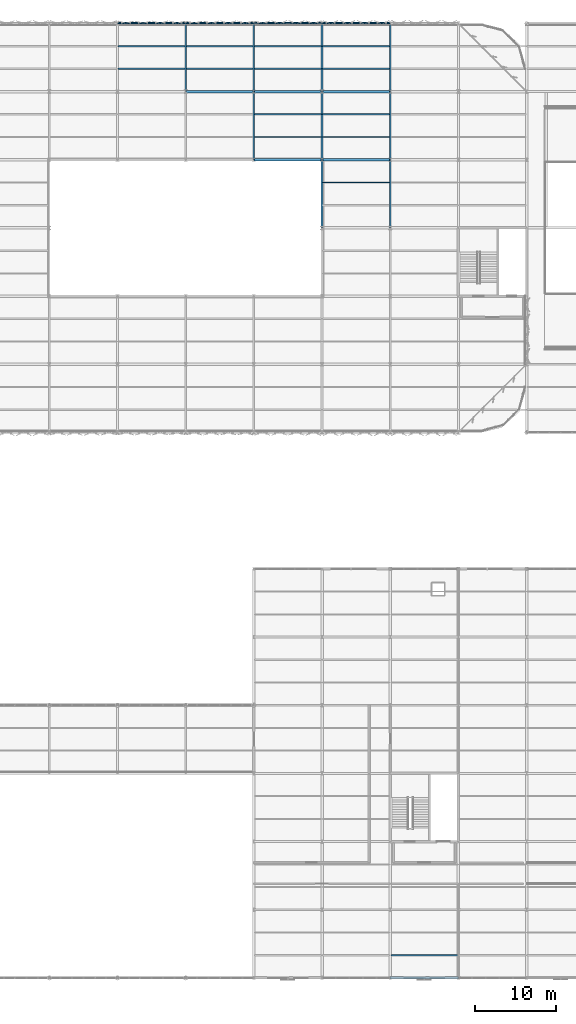
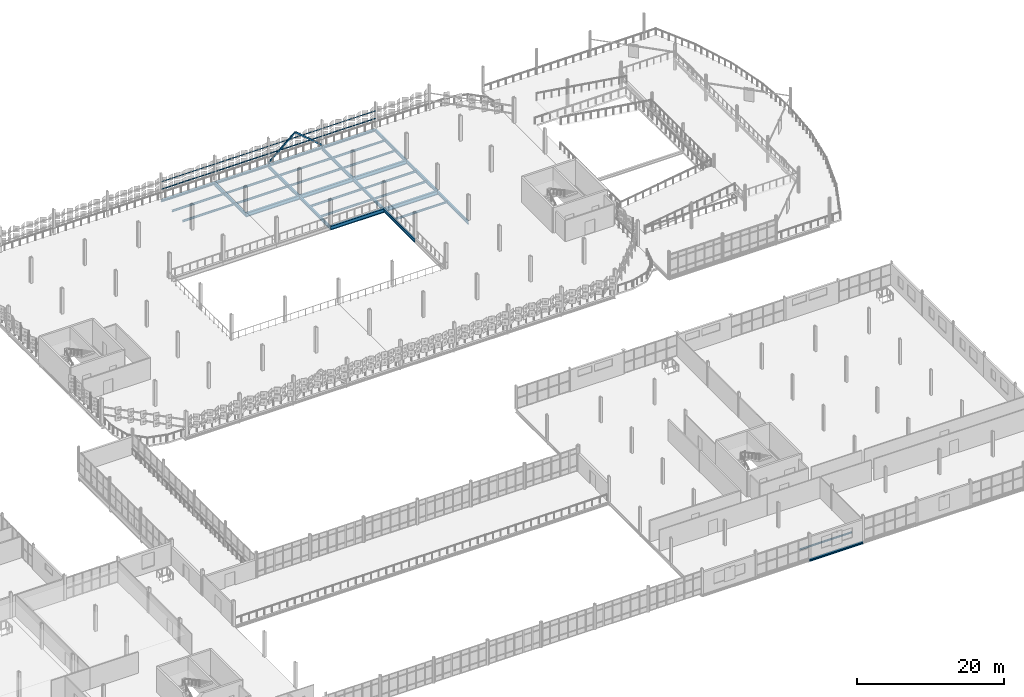
# One storey, part 92 of 163: 41 beams, 2 members.
"""IFC4 building model written with IfcOpenShell, lengths in metres."""

from ifc_helpers import new_model, si_unit, direction, frame, origin, origin_2d, place, context, subcontext, project, spatial, hollow_rectangle, i_section, extrude, material, material_profile, profile_set, type_object, element, save


model = new_model("IFC4")

# Units and contexts
model_context = context("Model", 3, precision=1e-05, world=origin(), true_north=direction((0.0, 1.0)))
body_context = subcontext(model_context, "Body", "Model", "MODEL_VIEW")
ifc_project = project(units=[si_unit("LENGTHUNIT", "METRE"), si_unit("AREAUNIT", "SQUARE_METRE"), si_unit("VOLUMEUNIT", "CUBIC_METRE"), si_unit("PLANEANGLEUNIT", "RADIAN"), si_unit("MASSUNIT", "GRAM", prefix="KILO")], contexts=[model_context])

# Site, building, storey
site_placement = place(None, origin())
site = spatial("IfcSite", under=ifc_project, at=site_placement, CompositionType="ELEMENT")
building_placement = place(site_placement, origin())
building = spatial("IfcBuilding", under=site, at=building_placement, Name="Qalvenar Corner Mobility Hub", CompositionType="ELEMENT")
storey_placement = place(building_placement, frame((0.0, 0.0, 4.800048828125)))
storey = spatial("IfcBuildingStorey", under=building, at=storey_placement, Name="L01", CompositionType="ELEMENT", Elevation=4.800048828125)

# Beams
ifc_material = material(Name="Steel S355", Category="steel")
ifc_material_profile_1 = material_profile(ifc_material, i_section(OverallWidth=0.300048828125, OverallDepth=0.639892578125, WebThickness=0.013427734375, FlangeThickness=0.02587890625, FilletRadius=0.027099609375, at=origin_2d()), Name="HEA650")
ifc_profile_set_1 = profile_set([ifc_material_profile_1], Name="Steel S355")
beam_type_1 = type_object("IfcBeamType", Name="BM-HEA650", PredefinedType="BEAM", material=ifc_profile_set_1)
beam_1_placement = place(storey_placement, frame((109.199951171875, 100.800048828125, -0.56005859375), z_axis=(1.0, 0.0, 0.0), x_axis=(0.0, 1.0, 0.0)))
element("IfcBeam", 1, at=beam_1_placement, inside=storey, type_object=beam_type_1, Name="Primary Steel Girder GX-1296", PredefinedType="BEAM", context=body_context, shape_type="SweptSolid", body=[
    extrude(i_section(OverallWidth=0.300048828125, OverallDepth=0.639892578125, WebThickness=0.013427734375, FlangeThickness=0.02587890625, FilletRadius=0.027099609375, at=origin_2d()), origin(), (0.0, 0.0, 1.0), 8.400146484375),
])
for number, where, z_axis, x_axis, name in (
    (2, (117.60009765625, 100.800048828125, -0.56005859375), (1.0, 0.0, 0.0), (0.0, 1.0, 0.0), "Primary Steel Girder GX-1297"),
    (3, (100.800048828125, 109.199951171875, -0.56005859375), (1.0, 0.0, 0.0), (0.0, 1.0, 0.0), "Primary Steel Girder GX-1305"),
):
    element("IfcBeam", number, at=place(storey_placement, frame(where, z_axis=z_axis, x_axis=x_axis)), inside=storey, type_object=beam_type_1, Name=name, PredefinedType="BEAM", context=body_context, shape_type="SweptSolid", body=[
        extrude(i_section(OverallWidth=0.300048828125, OverallDepth=0.639892578125, WebThickness=0.013427734375, FlangeThickness=0.02587890625, FilletRadius=0.027099609375, at=origin_2d()), origin(), (0.0, 0.0, 1.0), 8.39990234375),
    ])
beam_2_placement = place(storey_placement, frame((109.199951171875, 109.199951171875, -0.56005859375), z_axis=(1.0, 0.0, 0.0), x_axis=(0.0, 1.0, 0.0)))
element("IfcBeam", 4, at=beam_2_placement, inside=storey, type_object=beam_type_1, Name="Primary Steel Girder GX-1306", PredefinedType="BEAM", context=body_context, shape_type="SweptSolid", body=[
    extrude(i_section(OverallWidth=0.300048828125, OverallDepth=0.639892578125, WebThickness=0.013427734375, FlangeThickness=0.02587890625, FilletRadius=0.027099609375, at=origin_2d()), origin(), (0.0, 0.0, 1.0), 8.400146484375),
])
beam_3_placement = place(storey_placement, frame((117.60009765625, 109.199951171875, -0.56005859375), z_axis=(1.0, 0.0, 0.0), x_axis=(0.0, 1.0, 0.0)))
element("IfcBeam", 5, at=beam_3_placement, inside=storey, type_object=beam_type_1, Name="Primary Steel Girder GX-1307", PredefinedType="BEAM", context=body_context, shape_type="SweptSolid", body=[
    extrude(i_section(OverallWidth=0.300048828125, OverallDepth=0.639892578125, WebThickness=0.013427734375, FlangeThickness=0.02587890625, FilletRadius=0.027099609375, at=origin_2d()), origin(), (0.0, 0.0, 1.0), 8.39990234375),
])
ifc_material_profile_2 = material_profile(ifc_material, i_section(OverallWidth=0.2099609375, OverallDepth=0.550048828125, WebThickness=0.010986328125, FlangeThickness=0.01708984375, FilletRadius=0.02392578125, at=origin_2d()), Name="IPE550")
ifc_profile_set_2 = profile_set([ifc_material_profile_2], Name="Steel S355")
beam_type_2 = type_object("IfcBeamType", Name="BM-IPE550", PredefinedType="BEAM", material=ifc_profile_set_2)
beam_4_placement = place(storey_placement, frame((100.800048828125, 109.199951171875, -0.51513671875), z_axis=(0.0, 1.0, 0.0), x_axis=(-1.0, 0.0, 0.0)))
element("IfcBeam", 6, at=beam_4_placement, inside=storey, type_object=beam_type_2, Name="Primary Steel Girder GY-1347", PredefinedType="BEAM", context=body_context, shape_type="SweptSolid", body=[
    extrude(i_section(OverallWidth=0.2099609375, OverallDepth=0.550048828125, WebThickness=0.010986328125, FlangeThickness=0.01708984375, FilletRadius=0.02392578125, at=origin_2d()), origin(), (0.0, 0.0, 1.0), 8.400146484375),
])
beam_5_placement = place(storey_placement, frame((109.199951171875, 100.800048828125, -0.51513671875), z_axis=(0.0, 1.0, 0.0), x_axis=(-1.0, 0.0, 0.0)))
element("IfcBeam", 7, at=beam_5_placement, inside=storey, type_object=beam_type_2, Name="Primary Steel Girder GY-1350", PredefinedType="BEAM", context=body_context, shape_type="SweptSolid", body=[
    extrude(i_section(OverallWidth=0.2099609375, OverallDepth=0.550048828125, WebThickness=0.010986328125, FlangeThickness=0.01708984375, FilletRadius=0.02392578125, at=origin_2d()), origin(), (0.0, 0.0, 1.0), 8.39990234375),
])
for number, where, z_axis, x_axis, name in (
    (8, (109.199951171875, 109.199951171875, -0.51513671875), (0.0, 1.0, 0.0), (-1.0, 0.0, 0.0), "Primary Steel Girder GY-1351"),
    (9, (117.60009765625, 92.39990234375, -0.51513671875), (0.0, 1.0, 0.0), (-1.0, 0.0, 0.0), "Primary Steel Girder GY-1355"),
):
    element("IfcBeam", number, at=place(storey_placement, frame(where, z_axis=z_axis, x_axis=x_axis)), inside=storey, type_object=beam_type_2, Name=name, PredefinedType="BEAM", context=body_context, shape_type="SweptSolid", body=[
        extrude(i_section(OverallWidth=0.2099609375, OverallDepth=0.550048828125, WebThickness=0.010986328125, FlangeThickness=0.01708984375, FilletRadius=0.02392578125, at=origin_2d()), origin(), (0.0, 0.0, 1.0), 8.400146484375),
    ])
beam_6_placement = place(storey_placement, frame((117.60009765625, 100.800048828125, -0.51513671875), z_axis=(0.0, 1.0, 0.0), x_axis=(-1.0, 0.0, 0.0)))
element("IfcBeam", 10, at=beam_6_placement, inside=storey, type_object=beam_type_2, Name="Primary Steel Girder GY-1356", PredefinedType="BEAM", context=body_context, shape_type="SweptSolid", body=[
    extrude(i_section(OverallWidth=0.2099609375, OverallDepth=0.550048828125, WebThickness=0.010986328125, FlangeThickness=0.01708984375, FilletRadius=0.02392578125, at=origin_2d()), origin(), (0.0, 0.0, 1.0), 8.39990234375),
])
for number, where, z_axis, x_axis, name in (
    (11, (117.60009765625, 109.199951171875, -0.51513671875), (0.0, 1.0, 0.0), (-1.0, 0.0, 0.0), "Primary Steel Girder GY-1357"),
    (12, (126.0, 92.39990234375, -0.51513671875), (0.0, 1.0, 0.0), (-1.0, 0.0, 0.0), "Primary Steel Girder GY-1361"),
):
    element("IfcBeam", number, at=place(storey_placement, frame(where, z_axis=z_axis, x_axis=x_axis)), inside=storey, type_object=beam_type_2, Name=name, PredefinedType="BEAM", context=body_context, shape_type="SweptSolid", body=[
        extrude(i_section(OverallWidth=0.2099609375, OverallDepth=0.550048828125, WebThickness=0.010986328125, FlangeThickness=0.01708984375, FilletRadius=0.02392578125, at=origin_2d()), origin(), (0.0, 0.0, 1.0), 8.400146484375),
    ])
beam_7_placement = place(storey_placement, frame((126.0, 100.800048828125, -0.51513671875), z_axis=(0.0, 1.0, 0.0), x_axis=(-1.0, 0.0, 0.0)))
element("IfcBeam", 13, at=beam_7_placement, inside=storey, type_object=beam_type_2, Name="Primary Steel Girder GY-1362", PredefinedType="BEAM", context=body_context, shape_type="SweptSolid", body=[
    extrude(i_section(OverallWidth=0.2099609375, OverallDepth=0.550048828125, WebThickness=0.010986328125, FlangeThickness=0.01708984375, FilletRadius=0.02392578125, at=origin_2d()), origin(), (0.0, 0.0, 1.0), 8.39990234375),
])
beam_8_placement = place(storey_placement, frame((126.0, 109.199951171875, -0.51513671875), z_axis=(0.0, 1.0, 0.0), x_axis=(-1.0, 0.0, 0.0)))
element("IfcBeam", 14, at=beam_8_placement, inside=storey, type_object=beam_type_2, Name="Primary Steel Girder GY-1363", PredefinedType="BEAM", context=body_context, shape_type="SweptSolid", body=[
    extrude(i_section(OverallWidth=0.2099609375, OverallDepth=0.550048828125, WebThickness=0.010986328125, FlangeThickness=0.01708984375, FilletRadius=0.02392578125, at=origin_2d()), origin(), (0.0, 0.0, 1.0), 8.400146484375),
])
ifc_material_profile_3 = material_profile(ifc_material, i_section(OverallWidth=0.135009765625, OverallDepth=0.27001953125, WebThickness=0.006591796875, FlangeThickness=0.01025390625, FilletRadius=0.014892578125, at=origin_2d()), Name="IPE270")
ifc_profile_set_3 = profile_set([ifc_material_profile_3], Name="Steel S355")
beam_type_3 = type_object("IfcBeamType", Name="BM-JST270", PredefinedType="JOIST", material=ifc_profile_set_3)
beam_9_placement = place(storey_placement, frame((126.077880859375, 2.800048828125, -0.31494140625), z_axis=(1.0, 0.0, 0.0), x_axis=(0.0, 1.0, 0.0)))
element("IfcBeam", 15, at=beam_9_placement, inside=storey, type_object=beam_type_3, Name="Composite Floor Joist J-1098", PredefinedType="JOIST", context=body_context, shape_type="SweptSolid", body=[
    extrude(i_section(OverallWidth=0.135009765625, OverallDepth=0.27001953125, WebThickness=0.006591796875, FlangeThickness=0.01025390625, FilletRadius=0.014892578125, at=origin_2d()), origin(), (0.0, 0.0, 1.0), 8.244140625),
])
ifc_material_profile_4 = material_profile(ifc_material, i_section(OverallWidth=0.159912109375, OverallDepth=0.330078125, WebThickness=0.007568359375, FlangeThickness=0.011474609375, FilletRadius=0.01806640625, at=origin_2d()), Name="IPE330")
ifc_profile_set_4 = profile_set([ifc_material_profile_4], Name="Steel S355")
beam_type_4 = type_object("IfcBeamType", Name="BM-JST330", PredefinedType="JOIST", material=ifc_profile_set_4)
for number, where, z_axis, x_axis, name in (
    (16, (92.47802734375, 112.0, -0.405029296875), (1.0, 0.0, 0.0), (0.0, 1.0, 0.0), "Composite Floor Joist J-1418"),
    (17, (92.47802734375, 114.800048828125, -0.405029296875), (1.0, 0.0, 0.0), (0.0, 1.0, 0.0), "Composite Floor Joist J-1419"),
):
    element("IfcBeam", number, at=place(storey_placement, frame(where, z_axis=z_axis, x_axis=x_axis)), inside=storey, type_object=beam_type_4, Name=name, PredefinedType="JOIST", context=body_context, shape_type="SweptSolid", body=[
        extrude(i_section(OverallWidth=0.159912109375, OverallDepth=0.330078125, WebThickness=0.007568359375, FlangeThickness=0.011474609375, FilletRadius=0.01806640625, at=origin_2d()), origin(), (0.0, 0.0, 1.0), 8.243896484375),
    ])
for number, where, z_axis, x_axis, name in (
    (18, (100.8779296875, 112.0, -0.405029296875), (1.0, 0.0, 0.0), (0.0, 1.0, 0.0), "Composite Floor Joist J-1426"),
    (19, (100.8779296875, 114.800048828125, -0.405029296875), (1.0, 0.0, 0.0), (0.0, 1.0, 0.0), "Composite Floor Joist J-1427"),
):
    element("IfcBeam", number, at=place(storey_placement, frame(where, z_axis=z_axis, x_axis=x_axis)), inside=storey, type_object=beam_type_4, Name=name, PredefinedType="JOIST", context=body_context, shape_type="SweptSolid", body=[
        extrude(i_section(OverallWidth=0.159912109375, OverallDepth=0.330078125, WebThickness=0.007568359375, FlangeThickness=0.011474609375, FilletRadius=0.01806640625, at=origin_2d()), origin(), (0.0, 0.0, 1.0), 8.244140625),
    ])
for number, where, z_axis, x_axis, name in (
    (20, (109.278076171875, 103.60009765625, -0.405029296875), (1.0, 0.0, 0.0), (0.0, 1.0, 0.0), "Composite Floor Joist J-1432"),
    (21, (109.278076171875, 106.39990234375, -0.405029296875), (1.0, 0.0, 0.0), (0.0, 1.0, 0.0), "Composite Floor Joist J-1433"),
    (22, (109.278076171875, 112.0, -0.405029296875), (1.0, 0.0, 0.0), (0.0, 1.0, 0.0), "Composite Floor Joist J-1434"),
    (23, (109.278076171875, 114.800048828125, -0.405029296875), (1.0, 0.0, 0.0), (0.0, 1.0, 0.0), "Composite Floor Joist J-1435"),
):
    element("IfcBeam", number, at=place(storey_placement, frame(where, z_axis=z_axis, x_axis=x_axis)), inside=storey, type_object=beam_type_4, Name=name, PredefinedType="JOIST", context=body_context, shape_type="SweptSolid", body=[
        extrude(i_section(OverallWidth=0.159912109375, OverallDepth=0.330078125, WebThickness=0.007568359375, FlangeThickness=0.011474609375, FilletRadius=0.01806640625, at=origin_2d()), origin(), (0.0, 0.0, 1.0), 8.243896484375),
    ])
for number, where, z_axis, x_axis, name in (
    (24, (117.677978515625, 98.0, -0.405029296875), (1.0, 0.0, 0.0), (0.0, 1.0, 0.0), "Composite Floor Joist J-1443"),
    (25, (117.677978515625, 103.60009765625, -0.405029296875), (1.0, 0.0, 0.0), (0.0, 1.0, 0.0), "Composite Floor Joist J-1444"),
    (26, (117.677978515625, 106.39990234375, -0.405029296875), (1.0, 0.0, 0.0), (0.0, 1.0, 0.0), "Composite Floor Joist J-1445"),
    (27, (117.677978515625, 112.0, -0.405029296875), (1.0, 0.0, 0.0), (0.0, 1.0, 0.0), "Composite Floor Joist J-1446"),
    (28, (117.677978515625, 114.800048828125, -0.405029296875), (1.0, 0.0, 0.0), (0.0, 1.0, 0.0), "Composite Floor Joist J-1447"),
):
    element("IfcBeam", number, at=place(storey_placement, frame(where, z_axis=z_axis, x_axis=x_axis)), inside=storey, type_object=beam_type_4, Name=name, PredefinedType="JOIST", context=body_context, shape_type="SweptSolid", body=[
        extrude(i_section(OverallWidth=0.159912109375, OverallDepth=0.330078125, WebThickness=0.007568359375, FlangeThickness=0.011474609375, FilletRadius=0.01806640625, at=origin_2d()), origin(), (0.0, 0.0, 1.0), 8.244140625),
    ])
ifc_material_profile_5 = material_profile(ifc_material, i_section(OverallWidth=0.300048828125, OverallDepth=0.330078125, WebThickness=0.009521484375, FlangeThickness=0.0166015625, FilletRadius=0.027099609375, at=origin_2d()), Name="HEA340")
ifc_profile_set_5 = profile_set([ifc_material_profile_5], Name="Steel S355")
beam_type_5 = type_object("IfcBeamType", Name="BM-SPN340", PredefinedType="SPANDREL", material=ifc_profile_set_5)
beam_10_placement = place(storey_placement, frame((126.0, 0.0, -0.344970703125), z_axis=(1.0, 0.0, 0.0), x_axis=(0.0, 1.0, 0.0)))
element("IfcBeam", 29, at=beam_10_placement, inside=storey, type_object=beam_type_5, Name="Primary Steel Girder GX-0980", PredefinedType="SPANDREL", context=body_context, shape_type="SweptSolid", body=[
    extrude(i_section(OverallWidth=0.300048828125, OverallDepth=0.330078125, WebThickness=0.009521484375, FlangeThickness=0.0166015625, FilletRadius=0.027099609375, at=origin_2d()), origin(), (0.0, 0.0, 1.0), 8.39990234375),
])
beam_11_placement = place(storey_placement, frame((92.39990234375, 117.60009765625, -0.405029296875), z_axis=(1.0, 0.0, 0.0), x_axis=(0.0, 1.0, 0.0)))
element("IfcBeam", 30, at=beam_11_placement, inside=storey, type_object=beam_type_5, Name="Primary Steel Girder GX-1313", PredefinedType="SPANDREL", context=body_context, shape_type="SweptSolid", body=[
    extrude(i_section(OverallWidth=0.300048828125, OverallDepth=0.330078125, WebThickness=0.009521484375, FlangeThickness=0.0166015625, FilletRadius=0.027099609375, at=origin_2d()), origin(), (0.0, 0.0, 1.0), 8.400146484375),
])
beam_12_placement = place(storey_placement, frame((100.800048828125, 117.60009765625, -0.405029296875), z_axis=(1.0, 0.0, 0.0), x_axis=(0.0, 1.0, 0.0)))
element("IfcBeam", 31, at=beam_12_placement, inside=storey, type_object=beam_type_5, Name="Primary Steel Girder GX-1314", PredefinedType="SPANDREL", context=body_context, shape_type="SweptSolid", body=[
    extrude(i_section(OverallWidth=0.300048828125, OverallDepth=0.330078125, WebThickness=0.009521484375, FlangeThickness=0.0166015625, FilletRadius=0.027099609375, at=origin_2d()), origin(), (0.0, 0.0, 1.0), 8.39990234375),
])
beam_13_placement = place(storey_placement, frame((109.199951171875, 117.60009765625, -0.405029296875), z_axis=(1.0, 0.0, 0.0), x_axis=(0.0, 1.0, 0.0)))
element("IfcBeam", 32, at=beam_13_placement, inside=storey, type_object=beam_type_5, Name="Primary Steel Girder GX-1315", PredefinedType="SPANDREL", context=body_context, shape_type="SweptSolid", body=[
    extrude(i_section(OverallWidth=0.300048828125, OverallDepth=0.330078125, WebThickness=0.009521484375, FlangeThickness=0.0166015625, FilletRadius=0.027099609375, at=origin_2d()), origin(), (0.0, 0.0, 1.0), 8.400146484375),
])
beam_14_placement = place(storey_placement, frame((117.60009765625, 117.60009765625, -0.405029296875), z_axis=(1.0, 0.0, 0.0), x_axis=(0.0, 1.0, 0.0)))
element("IfcBeam", 33, at=beam_14_placement, inside=storey, type_object=beam_type_5, Name="Primary Steel Girder GX-1316", PredefinedType="SPANDREL", context=body_context, shape_type="SweptSolid", body=[
    extrude(i_section(OverallWidth=0.300048828125, OverallDepth=0.330078125, WebThickness=0.009521484375, FlangeThickness=0.0166015625, FilletRadius=0.027099609375, at=origin_2d()), origin(), (0.0, 0.0, 1.0), 8.39990234375),
])

# Members
ifc_material_profile_6 = material_profile(ifc_material, hollow_rectangle(XDim=0.14990234375, YDim=0.25, WallThickness=0.010009765625, InnerFilletRadius=0.010009765625, OuterFilletRadius=0.02001953125, at=origin_2d()), Name="RHS250x150x10")
ifc_profile_set_6 = profile_set([ifc_material_profile_6], Name="Steel S355")
member_type = type_object("IfcMemberType", Name="BR-RHS250", PredefinedType="BRACE", material=ifc_profile_set_6)
member_1_placement = place(storey_placement, frame((109.199951171875, 117.60009765625, 0.02001953125), z_axis=(0.757479038629, 0.0, 0.652859484145), x_axis=(0.0, 1.0, 0.0)))
element("IfcMember", 34, at=member_1_placement, inside=storey, type_object=member_type, Name="Chevron Lateral Brace BR-031", PredefinedType="BRACE", context=body_context, shape_type="SweptSolid", body=[
    extrude(hollow_rectangle(XDim=0.14990234375, YDim=0.25, WallThickness=0.010009765625, InnerFilletRadius=0.010009765625, OuterFilletRadius=0.02001953125, at=origin_2d()), origin(), (0.0, 0.0, 1.0), 5.544677734375),
])
member_2_placement = place(storey_placement, frame((117.60009765625, 117.60009765625, 0.02001953125), z_axis=(-0.757497805166, 0.0, 0.652837709672), x_axis=(0.0, -1.0, 0.0)))
element("IfcMember", 35, at=member_2_placement, inside=storey, type_object=member_type, Name="Chevron Lateral Brace BR-032", PredefinedType="BRACE", context=body_context, shape_type="SweptSolid", body=[
    extrude(hollow_rectangle(XDim=0.14990234375, YDim=0.25, WallThickness=0.010009765625, InnerFilletRadius=0.010009765625, OuterFilletRadius=0.02001953125, at=origin_2d()), origin(), (0.0, 0.0, 1.0), 5.544921875),
])

# Beams
ifc_material_profile_7 = material_profile(ifc_material, hollow_rectangle(XDim=0.080078125, YDim=0.1201171875, WallThickness=0.0048828125, InnerFilletRadius=0.0048828125, OuterFilletRadius=0.010009765625, at=origin_2d()), Name="RHS120x80x5")
ifc_profile_set_7 = profile_set([ifc_material_profile_7], Name="Steel S355")
beam_type_6 = type_object("IfcBeamType", Name="FR-RAIL120", PredefinedType="SPANDREL", material=ifc_profile_set_7)
beam_15_placement = place(storey_placement, frame((126.0, 117.60009765625, 2.75), z_axis=(-1.0, 0.0, 0.0), x_axis=(0.0, -1.0, 0.0)))
element("IfcBeam", 36, at=beam_15_placement, inside=storey, type_object=beam_type_6, Name="Facade Hinge Support Rail FR-L01-0020", PredefinedType="SPANDREL", context=body_context, shape_type="SweptSolid", body=[
    extrude(hollow_rectangle(XDim=0.080078125, YDim=0.1201171875, WallThickness=0.0048828125, InnerFilletRadius=0.0048828125, OuterFilletRadius=0.010009765625, at=origin_2d()), origin(), (0.0, 0.0, 1.0), 8.39990234375),
])
beam_16_placement = place(storey_placement, frame((117.60009765625, 117.60009765625, 2.75), z_axis=(-1.0, 0.0, 0.0), x_axis=(0.0, -1.0, 0.0)))
element("IfcBeam", 37, at=beam_16_placement, inside=storey, type_object=beam_type_6, Name="Facade Hinge Support Rail FR-L01-0022", PredefinedType="SPANDREL", context=body_context, shape_type="SweptSolid", body=[
    extrude(hollow_rectangle(XDim=0.080078125, YDim=0.1201171875, WallThickness=0.0048828125, InnerFilletRadius=0.0048828125, OuterFilletRadius=0.010009765625, at=origin_2d()), origin(), (0.0, 0.0, 1.0), 8.400146484375),
])
beam_17_placement = place(storey_placement, frame((109.199951171875, 117.60009765625, 2.75), z_axis=(-1.0, 0.0, 0.0), x_axis=(0.0, -1.0, 0.0)))
element("IfcBeam", 38, at=beam_17_placement, inside=storey, type_object=beam_type_6, Name="Facade Hinge Support Rail FR-L01-0024", PredefinedType="SPANDREL", context=body_context, shape_type="SweptSolid", body=[
    extrude(hollow_rectangle(XDim=0.080078125, YDim=0.1201171875, WallThickness=0.0048828125, InnerFilletRadius=0.0048828125, OuterFilletRadius=0.010009765625, at=origin_2d()), origin(), (0.0, 0.0, 1.0), 8.39990234375),
])
beam_18_placement = place(storey_placement, frame((100.800048828125, 117.60009765625, 2.75), z_axis=(-1.0, 0.0, 0.0), x_axis=(0.0, -1.0, 0.0)))
element("IfcBeam", 39, at=beam_18_placement, inside=storey, type_object=beam_type_6, Name="Facade Hinge Support Rail FR-L01-0026", PredefinedType="SPANDREL", context=body_context, shape_type="SweptSolid", body=[
    extrude(hollow_rectangle(XDim=0.080078125, YDim=0.1201171875, WallThickness=0.0048828125, InnerFilletRadius=0.0048828125, OuterFilletRadius=0.010009765625, at=origin_2d()), origin(), (0.0, 0.0, 1.0), 8.400146484375),
])
ifc_material_profile_8 = material_profile(ifc_material, hollow_rectangle(XDim=0.10009765625, YDim=0.14990234375, WallThickness=0.00634765625, InnerFilletRadius=0.00634765625, OuterFilletRadius=0.0126953125, at=origin_2d()), Name="RHS150x100x6.3")
ifc_profile_set_8 = profile_set([ifc_material_profile_8], Name="Steel S355")
beam_type_7 = type_object("IfcBeamType", Name="FR-RAIL150", PredefinedType="SPANDREL", material=ifc_profile_set_8)
beam_19_placement = place(storey_placement, frame((126.0, 117.60009765625, 1.5), z_axis=(-1.0, 0.0, 0.0), x_axis=(0.0, -1.0, 0.0)))
element("IfcBeam", 40, at=beam_19_placement, inside=storey, type_object=beam_type_7, Name="Facade Hinge Support Rail FR-L01-0019", PredefinedType="SPANDREL", context=body_context, shape_type="SweptSolid", body=[
    extrude(hollow_rectangle(XDim=0.10009765625, YDim=0.14990234375, WallThickness=0.00634765625, InnerFilletRadius=0.00634765625, OuterFilletRadius=0.0126953125, at=origin_2d()), origin(), (0.0, 0.0, 1.0), 8.39990234375),
])
beam_20_placement = place(storey_placement, frame((117.60009765625, 117.60009765625, 1.5), z_axis=(-1.0, 0.0, 0.0), x_axis=(0.0, -1.0, 0.0)))
element("IfcBeam", 41, at=beam_20_placement, inside=storey, type_object=beam_type_7, Name="Facade Hinge Support Rail FR-L01-0021", PredefinedType="SPANDREL", context=body_context, shape_type="SweptSolid", body=[
    extrude(hollow_rectangle(XDim=0.10009765625, YDim=0.14990234375, WallThickness=0.00634765625, InnerFilletRadius=0.00634765625, OuterFilletRadius=0.0126953125, at=origin_2d()), origin(), (0.0, 0.0, 1.0), 8.400146484375),
])
beam_21_placement = place(storey_placement, frame((109.199951171875, 117.60009765625, 1.5), z_axis=(-1.0, 0.0, 0.0), x_axis=(0.0, -1.0, 0.0)))
element("IfcBeam", 42, at=beam_21_placement, inside=storey, type_object=beam_type_7, Name="Facade Hinge Support Rail FR-L01-0023", PredefinedType="SPANDREL", context=body_context, shape_type="SweptSolid", body=[
    extrude(hollow_rectangle(XDim=0.10009765625, YDim=0.14990234375, WallThickness=0.00634765625, InnerFilletRadius=0.00634765625, OuterFilletRadius=0.0126953125, at=origin_2d()), origin(), (0.0, 0.0, 1.0), 8.39990234375),
])
beam_22_placement = place(storey_placement, frame((100.800048828125, 117.60009765625, 1.5), z_axis=(-1.0, 0.0, 0.0), x_axis=(0.0, -1.0, 0.0)))
element("IfcBeam", 43, at=beam_22_placement, inside=storey, type_object=beam_type_7, Name="Facade Hinge Support Rail FR-L01-0025", PredefinedType="SPANDREL", context=body_context, shape_type="SweptSolid", body=[
    extrude(hollow_rectangle(XDim=0.10009765625, YDim=0.14990234375, WallThickness=0.00634765625, InnerFilletRadius=0.00634765625, OuterFilletRadius=0.0126953125, at=origin_2d()), origin(), (0.0, 0.0, 1.0), 8.400146484375),
])

save(model, "model.ifc")
